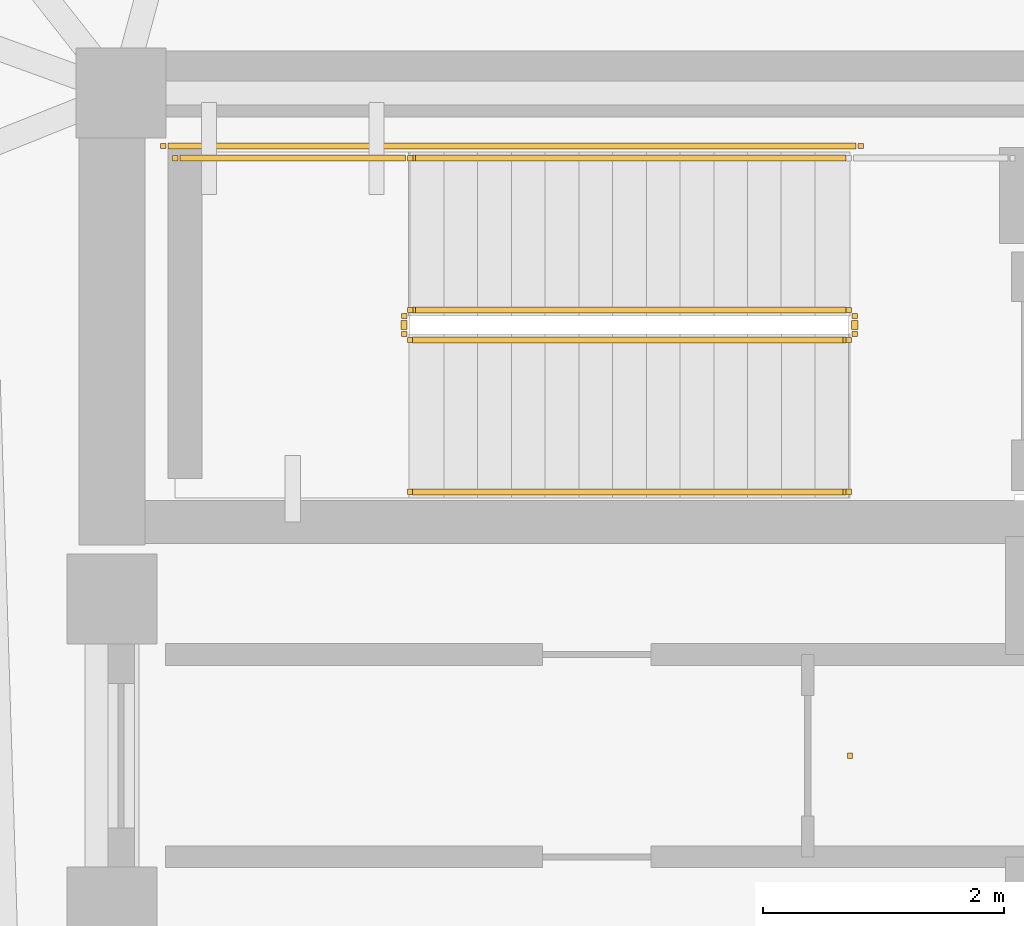
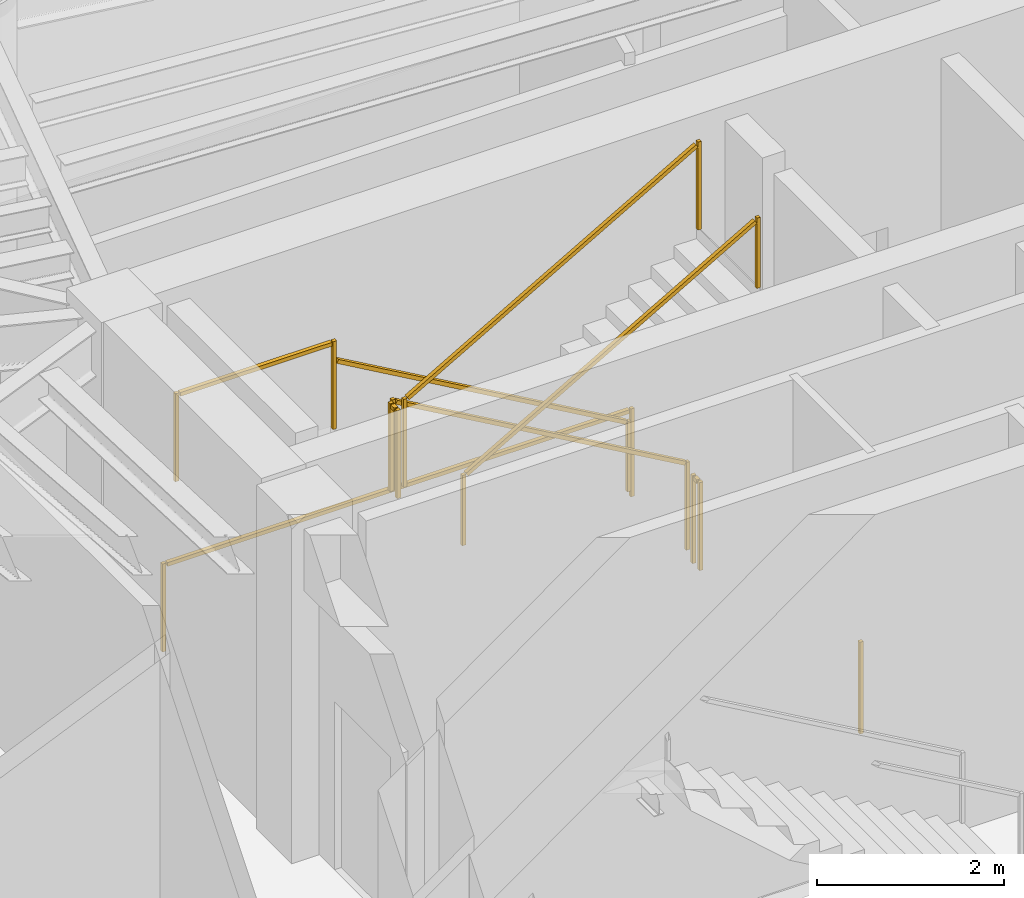
# One storey, part 10 of 11: 9 railings.
"""IFC4 building model written with IfcOpenShell, lengths in metres."""

from ifc_helpers import new_model, si_unit, direction, frame, origin, origin_2d, place, context, subcontext, project, spatial, rectangle, extrude, material, type_object, element, save


model = new_model("IFC4")

# Units and contexts
model_context = context("Model", 3, precision=1e-05, world=origin(), true_north=direction((0.0, 1.0)))
body_context = subcontext(model_context, "Body", "Model", "MODEL_VIEW")
ifc_project = project(units=[si_unit("LENGTHUNIT", "METRE"), si_unit("AREAUNIT", "SQUARE_METRE"), si_unit("VOLUMEUNIT", "CUBIC_METRE"), si_unit("PLANEANGLEUNIT", "RADIAN"), si_unit("MASSUNIT", "GRAM", prefix="KILO")], contexts=[model_context])

# Site, building, storey
site_placement = place(None, origin())
site = spatial("IfcSite", under=ifc_project, at=site_placement, CompositionType="ELEMENT")
building_placement = place(site_placement, origin())
building = spatial("IfcBuilding", under=site, at=building_placement, Name="Yunling Apex Tower", CompositionType="ELEMENT")
storey_placement = place(building_placement, frame((0.0, 0.0, 224.14990234375)))
storey = spatial("IfcBuildingStorey", under=building, at=storey_placement, Name="L54", CompositionType="ELEMENT", Elevation=224.14990234375)

# Railings
ifc_material_1 = material(Name="Bronze anodised aluminium", Category="aluminium")
railing_type_1 = type_object("IfcRailingType", Name="RL-BAL-1200", PredefinedType="BALUSTRADE", material=ifc_material_1)
railing_1_placement = place(storey_placement, origin())
element("IfcRailing", 1, at=railing_1_placement, inside=storey, type_object=railing_type_1, Name="RL-TATR-L54", PredefinedType="BALUSTRADE", context=body_context, shape_type="SweptSolid", body=[
    extrude(rectangle(XDim=0.0439453125, YDim=0.0439453125, at=origin_2d()), origin(), (0.0, 0.0, 1.0), 1.199951171875),
])
ifc_material_2 = material(Name="Steel Q355B", Category="steel")
railing_type_2 = type_object("IfcRailingType", Name="RL-GRD-1150", PredefinedType="GUARDRAIL", material=ifc_material_2)
railing_2_placement = place(storey_placement, frame((-0.010009765625, 3.699951171875, 0.160888671875)))
element("IfcRailing", 2, at=railing_2_placement, inside=storey, type_object=railing_type_2, Name="L54 ST-1 stair guard 1", PredefinedType="GUARDRAIL", context=body_context, shape_type="SweptSolid", body=[
    extrude(rectangle(XDim=0.0439453125, YDim=0.0439453125, at=origin_2d()), origin(), (0.0, 0.0, 1.0), 1.14990234375),
    extrude(rectangle(XDim=0.0439453125, YDim=0.0439453125, at=origin_2d()), frame((-3.639892578125, 0.0, 2.089111328125)), (0.0, 0.0, 1.0), 1.14990234375),
    extrude(rectangle(XDim=0.050048828125, YDim=0.050048828125, at=origin_2d()), frame((-0.033203125, 0.0, 1.14404296875), z_axis=(-0.867300072446, 0.0, 0.497785681127), x_axis=(0.0, -1.0, 0.0)), (0.0, 0.0, 1.0), 4.1201171875),
])
railing_3_placement = place(storey_placement, frame((-3.699951171875, 3.64990234375, 2.25)))
element("IfcRailing", 3, at=railing_3_placement, inside=storey, type_object=railing_type_2, Name="L54 ST-1 stair guard 2", PredefinedType="GUARDRAIL", context=body_context, shape_type="SweptSolid", body=[
    extrude(rectangle(XDim=0.0439453125, YDim=0.0439453125, at=origin_2d()), origin(), (0.0, 0.0, 1.0), 1.14990234375),
    extrude(rectangle(XDim=0.0439453125, YDim=0.0439453125, at=origin_2d()), frame((0.0, -0.14990234375, 0.0)), (0.0, 0.0, 1.0), 1.14990234375),
    extrude(rectangle(XDim=0.050048828125, YDim=0.050048828125, at=origin_2d()), frame((0.0, -0.038330078125, 1.125), z_axis=(0.0, -1.0, 0.0), x_axis=(1.0, 0.0, 0.0)), (0.0, 0.0, 1.0), 0.0732421875),
])
railing_4_placement = place(storey_placement, frame((-3.64990234375, 4.9599609375, 2.25)))
element("IfcRailing", 4, at=railing_4_placement, inside=storey, type_object=railing_type_2, Name="L54 ST-1 stair guard 3", PredefinedType="GUARDRAIL", context=body_context, shape_type="SweptSolid", body=[
    extrude(rectangle(XDim=0.0439453125, YDim=0.0439453125, at=origin_2d()), origin(), (0.0, 0.0, 1.0), 1.14990234375),
    extrude(rectangle(XDim=0.0439453125, YDim=0.0439453125, at=origin_2d()), frame((-1.9501953125, 0.0, 0.0)), (0.0, 0.0, 1.0), 1.14990234375),
    extrude(rectangle(XDim=0.050048828125, YDim=0.050048828125, at=origin_2d()), frame((-0.038330078125, 0.0, 1.125), z_axis=(-1.0, 0.0, 0.0), x_axis=(0.0, -1.0, 0.0)), (0.0, 0.0, 1.0), 1.87353515625),
])
railing_5_placement = place(storey_placement, frame((-3.64990234375, 3.449951171875, 2.410888671875)))
element("IfcRailing", 5, at=railing_5_placement, inside=storey, type_object=railing_type_2, Name="L54 ST-1 stair guard 4", PredefinedType="GUARDRAIL", context=body_context, shape_type="SweptSolid", body=[
    extrude(rectangle(XDim=0.0439453125, YDim=0.0439453125, at=origin_2d()), origin(), (0.0, 0.0, 1.0), 1.14990234375),
    extrude(rectangle(XDim=0.0439453125, YDim=0.0439453125, at=origin_2d()), frame((3.639892578125, 0.0, 2.089111328125)), (0.0, 0.0, 1.0), 1.14990234375),
    extrude(rectangle(XDim=0.050048828125, YDim=0.050048828125, at=origin_2d()), frame((0.033203125, 0.0, 1.14404296875), z_axis=(0.867300072446, 0.0, 0.497785681127), x_axis=(0.0, 1.0, 0.0)), (0.0, 0.0, 1.0), 4.1201171875),
])
railing_6_placement = place(storey_placement, frame((0.0400390625, 3.64990234375, 0.0)))
element("IfcRailing", 6, at=railing_6_placement, inside=storey, type_object=railing_type_2, Name="L54 ST-1 stair guard 5", PredefinedType="GUARDRAIL", context=body_context, shape_type="SweptSolid", body=[
    extrude(rectangle(XDim=0.0439453125, YDim=0.0439453125, at=origin_2d()), origin(), (0.0, 0.0, 1.0), 1.14990234375),
    extrude(rectangle(XDim=0.0439453125, YDim=0.0439453125, at=origin_2d()), frame((0.0, -0.14990234375, 0.0)), (0.0, 0.0, 1.0), 1.14990234375),
    extrude(rectangle(XDim=0.050048828125, YDim=0.050048828125, at=origin_2d()), frame((0.0, -0.038330078125, 1.125), z_axis=(0.0, -1.0, 0.0), x_axis=(1.0, 0.0, 0.0)), (0.0, 0.0, 1.0), 0.0732421875),
])
railing_7_placement = place(storey_placement, frame((0.090087890625, 5.06005859375, 0.0)))
element("IfcRailing", 7, at=railing_7_placement, inside=storey, type_object=railing_type_2, Name="L54 ST-1 stair guard 7", PredefinedType="GUARDRAIL", context=body_context, shape_type="SweptSolid", body=[
    extrude(rectangle(XDim=0.0439453125, YDim=0.0439453125, at=origin_2d()), origin(), (0.0, 0.0, 1.0), 1.14990234375),
    extrude(rectangle(XDim=0.0439453125, YDim=0.0439453125, at=origin_2d()), frame((-5.7900390625, 0.0, 0.0)), (0.0, 0.0, 1.0), 1.14990234375),
    extrude(rectangle(XDim=0.050048828125, YDim=0.050048828125, at=origin_2d()), frame((-0.038330078125, 0.0, 1.125), z_axis=(-1.0, 0.0, 0.0), x_axis=(0.0, -1.0, 0.0)), (0.0, 0.0, 1.0), 5.71337890625),
])
ifc_material_3 = material(Name="Silver anodised aluminium", Category="aluminium")
railing_type_3 = type_object("IfcRailingType", Name="RL-HND-900", PredefinedType="HANDRAIL", material=ifc_material_3)
railing_8_placement = place(storey_placement, frame((-0.010009765625, 4.9599609375, 0.160888671875)))
element("IfcRailing", 8, at=railing_8_placement, inside=storey, type_object=railing_type_3, Name="L54 ST-1 stair handrail 1", PredefinedType="HANDRAIL", context=body_context, shape_type="SweptSolid", body=[
    extrude(rectangle(XDim=0.0439453125, YDim=0.0439453125, at=origin_2d()), origin(), (0.0, 0.0, 1.0), 0.919921875),
    extrude(rectangle(XDim=0.0439453125, YDim=0.0439453125, at=origin_2d()), frame((-3.639892578125, 0.0, 2.089111328125)), (0.0, 0.0, 1.0), 0.919921875),
    extrude(rectangle(XDim=0.050048828125, YDim=0.050048828125, at=origin_2d()), frame((-0.033203125, 0.0, 0.9140625), z_axis=(-0.867300072446, 0.0, 0.497785681127), x_axis=(0.0, -1.0, 0.0)), (0.0, 0.0, 1.0), 4.1201171875),
])
railing_9_placement = place(storey_placement, frame((-3.64990234375, 2.18994140625, 2.410888671875)))
element("IfcRailing", 9, at=railing_9_placement, inside=storey, type_object=railing_type_3, Name="L54 ST-1 stair handrail 2", PredefinedType="HANDRAIL", context=body_context, shape_type="SweptSolid", body=[
    extrude(rectangle(XDim=0.0439453125, YDim=0.0439453125, at=origin_2d()), origin(), (0.0, 0.0, 1.0), 0.919921875),
    extrude(rectangle(XDim=0.0439453125, YDim=0.0439453125, at=origin_2d()), frame((3.639892578125, 0.0, 2.089111328125)), (0.0, 0.0, 1.0), 0.919921875),
    extrude(rectangle(XDim=0.050048828125, YDim=0.050048828125, at=origin_2d()), frame((0.033203125, 0.0, 0.9140625), z_axis=(0.867300072446, 0.0, 0.497785681127), x_axis=(0.0, 1.0, 0.0)), (0.0, 0.0, 1.0), 4.1201171875),
])

save(model, "model.ifc")
